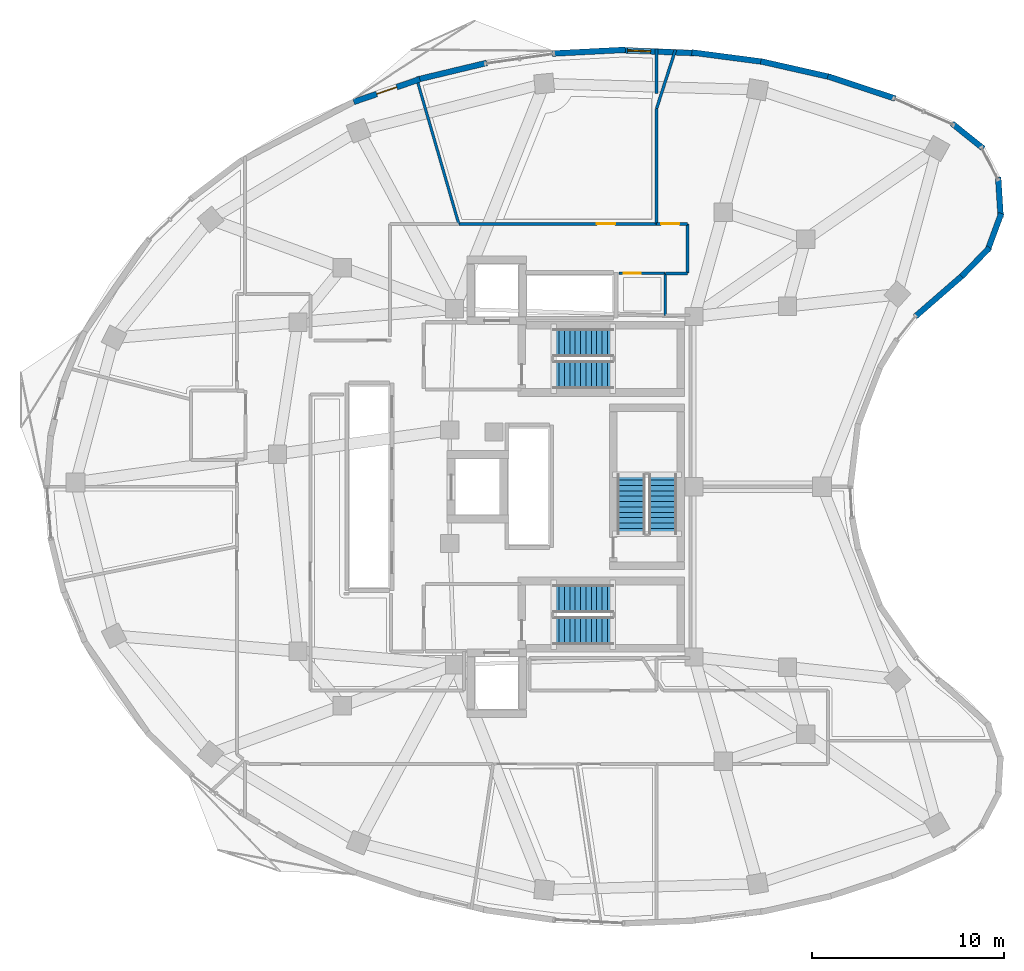
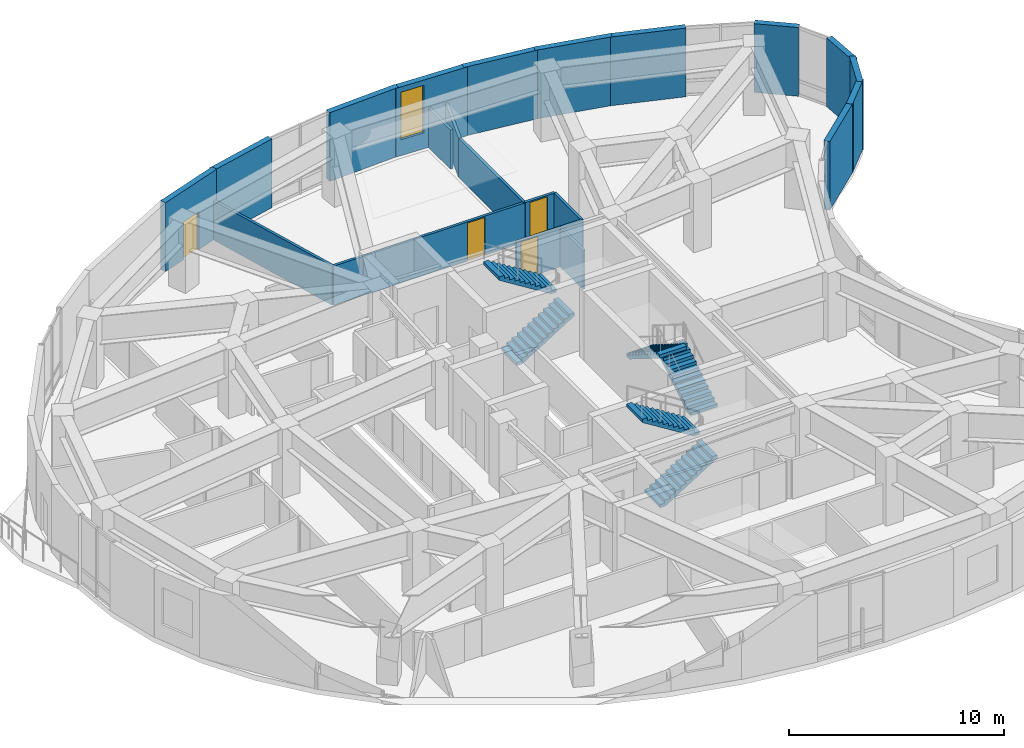
# One storey, part 11 of 14: 22 walls, 6 stair flights, 4 doors, 1 window, 5 openings, 3 elements without a shape of their own.
"""IFC4 building model written with IfcOpenShell, lengths in metres."""

from ifc_helpers import new_model, si_unit, direction, frame, frame_2d, origin, place, context, subcontext, project, spatial, polyline, rectangle, outline, extrude, material, layer, layer_set, type_object, element, fill, aggregate, save


model = new_model("IFC4")

# Units and contexts
model_context = context("Model", 3, precision=1e-05, world=origin(), true_north=direction((0.0, 1.0)))
body_context = subcontext(model_context, "Body", "Model", "MODEL_VIEW")
ifc_project = project(units=[si_unit("LENGTHUNIT", "METRE"), si_unit("AREAUNIT", "SQUARE_METRE"), si_unit("VOLUMEUNIT", "CUBIC_METRE"), si_unit("PLANEANGLEUNIT", "RADIAN"), si_unit("MASSUNIT", "GRAM", prefix="KILO")], contexts=[model_context])

# Site, building, storey
site_placement = place(None, origin())
site = spatial("IfcSite", under=ifc_project, at=site_placement, CompositionType="ELEMENT")
building_placement = place(site_placement, origin())
building = spatial("IfcBuilding", under=site, at=building_placement, Name="Korentha Bioscience Tower", CompositionType="ELEMENT")
storey_placement = place(building_placement, frame((0.0, 0.0, 239.39990234375)))
storey = spatial("IfcBuildingStorey", under=building, at=storey_placement, Name="L55", CompositionType="ELEMENT", Elevation=239.39990234375)

# Wall, opening, door
ifc_material_1 = material(Name="Double-Stud Acoustic Gypsum", Category="gypsum")
ifc_layer_1 = layer(ifc_material_1, 0.14990234375, Name="Double-Stud Acoustic Gypsum")
ifc_layer_set_1 = layer_set([ifc_layer_1], Name="Double-Stud Acoustic Gypsum (IW-L150)")
wall_type_1 = type_object("IfcWallType", Name="Acoustic Laboratory Partition Wall 150", PredefinedType="PARTITIONING", material=ifc_layer_set_1)
wall_1_placement = place(storey_placement, frame((37.199951171875, 40.659912109375, 0.0), z_axis=(0.0, 0.0, 1.0), x_axis=(-1.0, 0.0, 0.0)))
wall_1 = element("IfcWall", 1, at=wall_1_placement, inside=storey, type_object=wall_type_1, Name="L55 Neurobiology Electrophysiology Lab 10 Entrance Wall", PredefinedType="PARTITIONING", context=body_context, shape_type="SweptSolid", body=[
    extrude(rectangle(XDim=1.597900390625, YDim=0.14990234375, at=frame_2d((0.798828125, 0.0))), origin(), (0.0, 0.0, 1.0), 2.22021484375),
])
opening_1_placement = place(wall_1_placement, frame((0.407958984375, 0.0, 0.0)))
opening_1 = element("IfcOpeningElement", 2, at=opening_1_placement, cuts=wall_1, Name="Opening ID-10L", PredefinedType="OPENING", context=body_context, shape_type="SweptSolid", body=[
    extrude(rectangle(XDim=0.949951171875, YDim=2.14990234375, at=frame_2d((0.47509765625, 1.074951171875))), frame((0.0, 0.08984375, 0.0), z_axis=(0.0, -1.0, 0.0), x_axis=(1.0, 0.0, 0.0)), (0.0, 0.0, 1.0), 0.1796875),
])
ifc_material_2 = material(Name="Phenolic Laminate Timber Core", Category="wood")
door_type_1 = type_object("IfcDoorType", Name="Laboratory Single Leaf Door 950x2150 Left", OperationType="SINGLE_SWING_LEFT", PredefinedType="DOOR", material=ifc_material_2)
door_1_placement = place(opening_1_placement, origin())
door_1 = element("IfcDoor", 3, at=door_1_placement, inside=storey, type_object=door_type_1, Name="L55 Neurobiology Electrophysiology Lab 10 Door", OperationType="SINGLE_SWING_LEFT", OverallHeight=2.14990234375, OverallWidth=0.949951171875, PredefinedType="DOOR", context=body_context, shape_type="SweptSolid", body=[
    extrude(rectangle(XDim=0.949951171875, YDim=2.14990234375, at=frame_2d((0.47509765625, 1.074951171875))), frame((0.0, 0.02490234375, 0.0), z_axis=(0.0, -1.0, 0.0), x_axis=(1.0, 0.0, 0.0)), (0.0, 0.0, 1.0), 0.050048828125),
])
fill(opening_1, door_1)

# Walls
wall_2_placement = place(storey_placement, frame((35.60205078125, 46.65673828125, 0.0), z_axis=(0.0, 0.0, 1.0), x_axis=(0.306063425715, 0.95201112359, 0.0)))
element("IfcWall", 4, at=wall_2_placement, inside=storey, type_object=wall_type_1, Name="L55 Interior Partition 051", PredefinedType="PARTITIONING", context=body_context, shape_type="SweptSolid", body=[
    extrude(rectangle(XDim=3.205078125, YDim=0.14990234375, at=frame_2d((1.6025390625, 0.0))), origin(), (0.0, 0.0, 1.0), 2.22021484375),
])
wall_3_placement = place(storey_placement, frame((36.06005859375, 38.090087890625, 0.0), z_axis=(0.0, 0.0, 1.0), x_axis=(1.0, 0.0, 0.0)))
element("IfcWall", 5, at=wall_3_placement, inside=storey, type_object=wall_type_1, Name="L55 Interior Partition 054", PredefinedType="PARTITIONING", context=body_context, shape_type="SweptSolid", body=[
    extrude(rectangle(XDim=1.139892578125, YDim=0.14990234375, at=frame_2d((0.56982421875, 0.0))), origin(), (0.0, 0.0, 1.0), 2.22021484375),
])
wall_4_placement = place(storey_placement, frame((37.2099609375, 38.10009765625, 0.0), z_axis=(0.0, 0.0, 1.0), x_axis=(0.0, 1.0, 0.0)))
element("IfcWall", 6, at=wall_4_placement, inside=storey, type_object=wall_type_1, Name="L55 Interior Partition 055", PredefinedType="PARTITIONING", context=body_context, shape_type="SweptSolid", body=[
    extrude(rectangle(XDim=2.5498046875, YDim=0.14990234375, at=frame_2d((1.27490234375, 0.0))), origin(), (0.0, 0.0, 1.0), 2.22021484375),
])
wall_5_placement = place(storey_placement, frame((35.60205078125, 40.659912109375, 0.0), z_axis=(0.0, 0.0, 1.0), x_axis=(0.0, 1.0, 0.0)))
element("IfcWall", 7, at=wall_5_placement, inside=storey, type_object=wall_type_1, Name="L55 Interior Partition 056", PredefinedType="PARTITIONING", context=body_context, shape_type="SweptSolid", body=[
    extrude(rectangle(XDim=5.99658203125, YDim=0.14990234375, at=frame_2d((2.998291015625, 0.0))), origin(), (0.0, 0.0, 1.0), 2.22021484375),
])

# Wall, opening, door
ifc_material_3 = material(Name="Insulated Aluminium Honeycomb Panel", Category="aluminium")
ifc_layer_2 = layer(ifc_material_3, 0.139892578125, Name="Insulated Aluminium Honeycomb Panel")
ifc_layer_set_2 = layer_set([ifc_layer_2], Name="Insulated Aluminium Honeycomb Panel (IW-F60)")
wall_type_2 = type_object("IfcWallType", Name="Cleanroom Flush Metal Panel Partition 140", PredefinedType="PARTITIONING", material=ifc_layer_set_2)
wall_6_placement = place(storey_placement, frame((35.592041015625, 40.659912109375, 0.0), z_axis=(0.0, 0.0, 1.0), x_axis=(-1.0, 0.0, 0.0)))
wall_6 = element("IfcWall", 8, at=wall_6_placement, inside=storey, type_object=wall_type_2, Name="L55 Stem-Cell Differentiation Cleanroom 11 Entrance Wall", PredefinedType="PARTITIONING", context=body_context, shape_type="SweptSolid", body=[
    extrude(rectangle(XDim=10.2705078125, YDim=0.139892578125, at=frame_2d((5.13525390625, 0.0))), origin(), (0.0, 0.0, 1.0), 2.22021484375),
])
opening_2_placement = place(wall_6_placement, frame((2.1455078125, 0.0, 0.0)))
opening_2 = element("IfcOpeningElement", 9, at=opening_2_placement, cuts=wall_6, Name="Opening ID-10R", PredefinedType="OPENING", context=body_context, shape_type="SweptSolid", body=[
    extrude(rectangle(XDim=0.949951171875, YDim=2.14990234375, at=frame_2d((0.47509765625, 1.074951171875))), frame((0.0, 0.0849609375, 0.0), z_axis=(0.0, -1.0, 0.0), x_axis=(1.0, 0.0, 0.0)), (0.0, 0.0, 1.0), 0.169677734375),
])
door_type_2 = type_object("IfcDoorType", Name="Laboratory Single Leaf Door 950x2150 Right", OperationType="SINGLE_SWING_RIGHT", PredefinedType="DOOR", material=ifc_material_2)
door_2_placement = place(opening_2_placement, origin())
door_2 = element("IfcDoor", 10, at=door_2_placement, inside=storey, type_object=door_type_2, Name="L55 Stem-Cell Differentiation Cleanroom 11 Door", OperationType="SINGLE_SWING_RIGHT", OverallHeight=2.14990234375, OverallWidth=0.949951171875, PredefinedType="DOOR", context=body_context, shape_type="SweptSolid", body=[
    extrude(rectangle(XDim=0.949951171875, YDim=2.14990234375, at=frame_2d((0.47509765625, 1.074951171875))), frame((0.0, 0.02490234375, 0.0), z_axis=(0.0, -1.0, 0.0), x_axis=(1.0, 0.0, 0.0)), (0.0, 0.0, 1.0), 0.050048828125),
])
fill(opening_2, door_2)

# Walls
wall_7_placement = place(storey_placement, frame((35.597900390625, 49.756591796875, 0.0), z_axis=(0.0, 0.0, 1.0), x_axis=(0.0, -1.0, 0.0)))
element("IfcWall", 11, at=wall_7_placement, inside=storey, type_object=wall_type_2, Name="L55 Interior Partition 057", PredefinedType="PARTITIONING", context=body_context, shape_type="SweptSolid", body=[
    extrude(rectangle(XDim=2.328125, YDim=0.139892578125, at=frame_2d((1.1640625, 0.0))), origin(), (0.0, 0.0, 1.0), 2.22021484375),
])
wall_8_placement = place(storey_placement, frame((25.321533203125, 40.659912109375, 0.0), z_axis=(0.0, 0.0, 1.0), x_axis=(-0.278465296123, 0.960446291499, 0.0)))
element("IfcWall", 12, at=wall_8_placement, inside=storey, type_object=wall_type_2, Name="L55 Interior Partition 058", PredefinedType="PARTITIONING", context=body_context, shape_type="SweptSolid", body=[
    extrude(rectangle(XDim=7.918701171875, YDim=0.139892578125, at=frame_2d((3.95947265625, 0.0))), origin(), (0.0, 0.0, 1.0), 2.22021484375),
])

# Wall, opening, window
ifc_material_4 = material(Name="Honed Limestone Precast Concrete C40", Category="masonry")
ifc_layer_3 = layer(ifc_material_4, 0.300048828125, Name="Honed Limestone Precast Concrete C40")
ifc_layer_set_3 = layer_set([ifc_layer_3], Name="Honed Limestone Precast Concrete C40 (EW-ST300)")
wall_type_3 = type_object("IfcWallType", Name="Honed Limestone Cavity Spandrel Wall 300", PredefinedType="STANDARD", material=ifc_layer_set_3)
wall_9_placement = place(storey_placement, frame((37.58837890625, 49.5380859375, 0.0), z_axis=(0.0, 0.0, 1.0), x_axis=(-0.999223368644, 0.03940380128, 0.0)))
wall_9 = element("IfcWall", 13, at=wall_9_placement, inside=storey, type_object=wall_type_3, Name="L55 Honed Limestone Spandrel Wall 05", PredefinedType="STANDARD", context=body_context, shape_type="SweptSolid", body=[
    extrude(rectangle(XDim=3.76708984375, YDim=0.300048828125, at=frame_2d((1.883544921875, 0.0))), origin(), (0.0, 0.0, 1.0), 3.900146484375),
])
opening_3_placement = place(wall_9_placement, frame((2.294189453125, 0.0, 0.89990234375)))
opening_3 = element("IfcOpeningElement", 14, at=opening_3_placement, cuts=wall_9, Name="Opening WN-03", PredefinedType="OPENING", context=body_context, shape_type="SweptSolid", body=[
    extrude(rectangle(XDim=1.199951171875, YDim=2.699951171875, at=frame_2d((0.60009765625, 1.35009765625))), frame((0.0, 0.1650390625, 0.0), z_axis=(0.0, -1.0, 0.0), x_axis=(1.0, 0.0, 0.0)), (0.0, 0.0, 1.0), 0.329833984375),
])
ifc_material_5 = material(Name="Thermally Broken Aluminium Triple Glazing", Category="aluminium")
window_type = type_object("IfcWindowType", Name="Theatre Foyer Tall Ribbon Window 1200x2700", PartitioningType="SINGLE_PANEL", PredefinedType="WINDOW", material=ifc_material_5)
window_placement = place(opening_3_placement, origin())
window = element("IfcWindow", 15, at=window_placement, inside=storey, type_object=window_type, Name="L55 Facade Window 05", OverallHeight=2.699951171875, OverallWidth=1.199951171875, PartitioningType="SINGLE_PANEL", PredefinedType="WINDOW", context=body_context, shape_type="SweptSolid", body=[
    extrude(rectangle(XDim=1.199951171875, YDim=2.699951171875, at=frame_2d((0.60009765625, 1.35009765625))), frame((0.0, 0.030029296875, 0.0), z_axis=(0.0, -1.0, 0.0), x_axis=(1.0, 0.0, 0.0)), (0.0, 0.0, 1.0), 0.06005859375),
])
fill(opening_3, window)

# Wall, opening, door
wall_10_placement = place(storey_placement, frame((23.29638671875, 48.1796875, 0.0), z_axis=(0.0, 0.0, 1.0), x_axis=(-0.945702753898, -0.325032769531, 0.0)))
wall_10 = element("IfcWall", 16, at=wall_10_placement, inside=storey, type_object=wall_type_3, Name="L55 Balcony Threshold Wall 01", PredefinedType="STANDARD", context=body_context, shape_type="SweptSolid", body=[
    extrude(rectangle(XDim=3.62939453125, YDim=0.300048828125, at=frame_2d((1.814697265625, 0.0))), origin(), (0.0, 0.0, 1.0), 3.900146484375),
])
opening_4_placement = place(wall_10_placement, frame((1.264892578125, 0.0, 0.0)))
opening_4 = element("IfcOpeningElement", 17, at=opening_4_placement, cuts=wall_10, Name="Opening BD-11L", PredefinedType="OPENING", context=body_context, shape_type="SweptSolid", body=[
    extrude(rectangle(XDim=1.10009765625, YDim=2.14990234375, at=frame_2d((0.550048828125, 1.074951171875))), frame((0.0, 0.1650390625, 0.0), z_axis=(0.0, -1.0, 0.0), x_axis=(1.0, 0.0, 0.0)), (0.0, 0.0, 1.0), 0.329833984375),
])
ifc_material_6 = material(Name="Thermally Broken Glazed Aluminium", Category="aluminium")
door_type_3 = type_object("IfcDoorType", Name="Balcony Terrace Glazed Door 1100x2150 Left", OperationType="SINGLE_SWING_LEFT", PredefinedType="DOOR", material=ifc_material_6)
door_3_placement = place(opening_4_placement, origin())
door_3 = element("IfcDoor", 18, at=door_3_placement, inside=storey, type_object=door_type_3, Name="L55 Balcony Access Door 01", OperationType="SINGLE_SWING_LEFT", OverallHeight=2.14990234375, OverallWidth=1.10009765625, PredefinedType="DOOR", context=body_context, shape_type="SweptSolid", body=[
    extrude(rectangle(XDim=1.10009765625, YDim=2.14990234375, at=frame_2d((0.550048828125, 1.074951171875))), frame((0.0, 0.02490234375, 0.0), z_axis=(0.0, -1.0, 0.0), x_axis=(1.0, 0.0, 0.0)), (0.0, 0.0, 1.0), 0.050048828125),
])
fill(opening_4, door_3)

# Walls
wall_11_placement = place(storey_placement, frame((47.997802734375, 47.1767578125, 0.0), z_axis=(0.0, 0.0, 1.0), x_axis=(-0.94972655205, 0.313080622734, 0.0)))
element("IfcWall", 19, at=wall_11_placement, inside=storey, type_object=wall_type_3, Name="L55 Limestone Perimeter Closure Wall 02", PredefinedType="STANDARD", context=body_context, shape_type="SweptSolid", body=[
    extrude(rectangle(XDim=3.67919921875, YDim=0.300048828125, at=frame_2d((1.839599609375, 0.0))), origin(), (0.0, 0.0, 1.0), 3.900146484375),
])
wall_12_placement = place(storey_placement, frame((44.67041015625, 48.282470703125, 0.0), z_axis=(0.0, 0.0, 1.0), x_axis=(-0.975241674184, 0.221141757557, 0.0)))
element("IfcWall", 20, at=wall_12_placement, inside=storey, type_object=wall_type_3, Name="L55 Limestone Perimeter Closure Wall 03", PredefinedType="STANDARD", context=body_context, shape_type="SweptSolid", body=[
    extrude(rectangle(XDim=3.74267578125, YDim=0.300048828125, at=frame_2d((1.871337890625, 0.0))), origin(), (0.0, 0.0, 1.0), 3.900146484375),
])
wall_13_placement = place(storey_placement, frame((41.190673828125, 49.079833984375, 0.0), z_axis=(0.0, 0.0, 1.0), x_axis=(-0.991512801574, 0.130009093201, 0.0)))
element("IfcWall", 21, at=wall_13_placement, inside=storey, type_object=wall_type_3, Name="L55 Limestone Perimeter Closure Wall 04", PredefinedType="STANDARD", context=body_context, shape_type="SweptSolid", body=[
    extrude(rectangle(XDim=3.785888671875, YDim=0.300048828125, at=frame_2d((1.89306640625, 0.0))), origin(), (0.0, 0.0, 1.0), 3.900146484375),
])
wall_14_placement = place(storey_placement, frame((33.977294921875, 49.70849609375, 0.0), z_axis=(0.0, 0.0, 1.0), x_axis=(-0.998691783215, -0.051134353798, 0.0)))
element("IfcWall", 22, at=wall_14_placement, inside=storey, type_object=wall_type_3, Name="L55 Limestone Perimeter Closure Wall 06", PredefinedType="STANDARD", context=body_context, shape_type="SweptSolid", body=[
    extrude(rectangle(XDim=3.80517578125, YDim=0.300048828125, at=frame_2d((1.902587890625, 0.0))), origin(), (0.0, 0.0, 1.0), 3.900146484375),
])
wall_15_placement = place(storey_placement, frame((26.775146484375, 49.027099609375, 0.0), z_axis=(0.0, 0.0, 1.0), x_axis=(-0.972475629939, -0.233004611918, 0.0)))
element("IfcWall", 23, at=wall_15_placement, inside=storey, type_object=wall_type_3, Name="L55 Limestone Perimeter Closure Wall 08", PredefinedType="STANDARD", context=body_context, shape_type="SweptSolid", body=[
    extrude(rectangle(XDim=3.7353515625, YDim=0.300048828125, at=frame_2d((1.86767578125, 0.0))), origin(), (0.0, 0.0, 1.0), 3.900146484375),
])
wall_16_placement = place(storey_placement, frame((49.039794921875, 35.840087890625, 0.0), z_axis=(0.0, 0.0, 1.0), x_axis=(0.754679026761, 0.656094175075, 0.0)))
element("IfcWall", 24, at=wall_16_placement, inside=storey, type_object=wall_type_3, Name="L55 Limestone Perimeter Closure Wall 56", PredefinedType="STANDARD", context=body_context, shape_type="SweptSolid", body=[
    extrude(rectangle(XDim=3.360595703125, YDim=0.300048828125, at=frame_2d((1.68017578125, 0.0))), origin(), (0.0, 0.0, 1.0), 3.900146484375),
])
for number, where, z_axis, x_axis, name in (
    (25, (51.451416015625, 37.9267578125, 0.0), (0.0, 0.0, 1.0), (0.695810272174, 0.718225636647, 0.0), "L55 Limestone Perimeter Closure Wall 58"),
    (26, (52.79248046875, 39.247314453125, 0.0), (0.0, 0.0, 1.0), (0.346359858312, 0.93810172612, 0.0), "L55 Limestone Perimeter Closure Wall 59"),
    (27, (53.485595703125, 40.997314453125, 0.0), (0.0, 0.0, 1.0), (-0.06186954965, 0.998084244353, 0.0), "L55 Limestone Perimeter Closure Wall 60"),
):
    element("IfcWall", number, at=place(storey_placement, frame(where, z_axis=z_axis, x_axis=x_axis)), inside=storey, type_object=wall_type_3, Name=name, PredefinedType="STANDARD", context=body_context, shape_type="SweptSolid", body=[
        extrude(rectangle(XDim=2.09130859375, YDim=0.300048828125, at=frame_2d((1.045654296875, 0.0))), origin(), (0.0, 0.0, 1.0), 3.900146484375),
    ])
wall_17_placement = place(storey_placement, frame((52.587646484375, 44.5693359375, 0.0), z_axis=(0.0, 0.0, 1.0), x_axis=(-0.779157679167, 0.6268279756, 0.0)))
element("IfcWall", 28, at=wall_17_placement, inside=storey, type_object=wall_type_3, Name="L55 Limestone Perimeter Closure Wall 62", PredefinedType="STANDARD", context=body_context, shape_type="SweptSolid", body=[
    extrude(rectangle(XDim=2.091552734375, YDim=0.300048828125, at=frame_2d((1.0458984375, 0.0))), origin(), (0.0, 0.0, 1.0), 3.900146484375),
])

# Wall, opening, door
ifc_material_7 = material(Name="Cement-Board Steel Stud", Category="steel")
ifc_layer_4 = layer(ifc_material_7, 0.1298828125, Name="Cement-Board Steel Stud")
ifc_layer_set_4 = layer_set([ifc_layer_4], Name="Cement-Board Steel Stud (IW-W130)")
wall_type_4 = type_object("IfcWallType", Name="Wet-Area Moisture-Resistant Partition 130", PredefinedType="PARTITIONING", material=ifc_layer_set_4)
wall_18_placement = place(storey_placement, frame((33.64990234375, 38.090087890625, 0.0), z_axis=(0.0, 0.0, 1.0), x_axis=(1.0, 0.0, 0.0)))
wall_18 = element("IfcWall", 29, at=wall_18_placement, inside=storey, type_object=wall_type_4, Name="L55 Accessible Staff WC Entrance Wall", PredefinedType="PARTITIONING", context=body_context, shape_type="SweptSolid", body=[
    extrude(rectangle(XDim=2.400146484375, YDim=0.1298828125, at=frame_2d((1.2001953125, 0.0))), origin(), (0.0, 0.0, 1.0), 2.22021484375),
])
opening_5_placement = place(wall_18_placement, frame((0.239990234375, 0.0, 0.0)))
opening_5 = element("IfcOpeningElement", 30, at=opening_5_placement, cuts=wall_18, Name="Opening ID-09R", PredefinedType="OPENING", context=body_context, shape_type="SweptSolid", body=[
    extrude(rectangle(XDim=0.89990234375, YDim=2.14990234375, at=frame_2d((0.449951171875, 1.074951171875))), frame((0.0, 0.079833984375, 0.0), z_axis=(0.0, -1.0, 0.0), x_axis=(1.0, 0.0, 0.0)), (0.0, 0.0, 1.0), 0.15966796875),
])
ifc_material_8 = material(Name="Moisture-Resistant HPL Leaf", Category="wood")
door_type_4 = type_object("IfcDoorType", Name="Restroom & Accessible WC Door 900x2150 Right", OperationType="SINGLE_SWING_RIGHT", PredefinedType="DOOR", material=ifc_material_8)
door_4_placement = place(opening_5_placement, origin())
door_4 = element("IfcDoor", 31, at=door_4_placement, inside=storey, type_object=door_type_4, Name="L55 Accessible Staff WC Door", OperationType="SINGLE_SWING_RIGHT", OverallHeight=2.14990234375, OverallWidth=0.89990234375, PredefinedType="DOOR", context=body_context, shape_type="SweptSolid", body=[
    extrude(rectangle(XDim=0.89990234375, YDim=2.14990234375, at=frame_2d((0.449951171875, 1.074951171875))), frame((0.0, 0.02490234375, 0.0), z_axis=(0.0, -1.0, 0.0), x_axis=(1.0, 0.0, 0.0)), (0.0, 0.0, 1.0), 0.050048828125),
])
fill(opening_5, door_4)

# Wall
wall_19_placement = place(storey_placement, frame((36.050048828125, 38.090087890625, 0.0), z_axis=(0.0, 0.0, 1.0), x_axis=(0.0, -1.0, 0.0)))
element("IfcWall", 32, at=wall_19_placement, inside=storey, type_object=wall_type_4, Name="L55 Interior Partition 018", PredefinedType="PARTITIONING", context=body_context, shape_type="SweptSolid", body=[
    extrude(rectangle(XDim=2.18017578125, YDim=0.1298828125, at=frame_2d((1.090087890625, 0.0))), origin(), (0.0, 0.0, 1.0), 2.22021484375),
])

# Stair, stair flights
ifc_material_9 = material(Name="Precast Concrete C50", Category="concrete")
stair_type = type_object("IfcStairType", Name="Core Exit Dog-Leg Stair 1450", PredefinedType="HALF_TURN_STAIR", material=ifc_material_9)
stair_1_placement = place(storey_placement, origin())
stair_1 = element("IfcStair", 33, at=stair_1_placement, inside=storey, type_object=stair_type, Name="L55 Tower North Pressurized Exit Stair ST-1", PredefinedType="HALF_TURN_STAIR")
stair_flight_type = type_object("IfcStairFlightType", Name="Core Exit Dog-Leg Stair 1450 Flight", PredefinedType="STRAIGHT", material=ifc_material_9)
stair_flight_1_placement = place(storey_placement, frame((30.25, 32.824951171875, 0.0), z_axis=(0.0, 0.0, 1.0), x_axis=(1.0, 0.0, 0.0)))
stair_flight_1 = element("IfcStairFlight", 34, at=stair_flight_1_placement, type_object=stair_flight_type, Name="ST-1 flight 1", NumberOfRisers=12, NumberOfTreads=11, PredefinedType="STRAIGHT", RiserHeight=0.175, TreadLength=0.28, context=body_context, shape_type="SweptSolid", body=[
    extrude(outline(polyline([(0.0, 0.0), (0.0, 0.175048828125), (0.280029296875, 0.175048828125), (0.280029296875, 0.35009765625), (0.56005859375, 0.35009765625), (0.56005859375, 0.52490234375), (0.840087890625, 0.52490234375), (0.840087890625, 0.699951171875), (1.1201171875, 0.699951171875), (1.1201171875, 0.875), (1.39990234375, 0.875), (1.39990234375, 1.050048828125), (1.679931640625, 1.050048828125), (1.679931640625, 1.22509765625), (1.9599609375, 1.22509765625), (1.9599609375, 1.39990234375), (2.239990234375, 1.39990234375), (2.239990234375, 1.574951171875), (2.52001953125, 1.574951171875), (2.52001953125, 1.75), (2.800048828125, 1.75), (2.800048828125, 1.925048828125), (3.080078125, 1.925048828125), (3.080078125, 2.10009765625), (3.080078125, 1.736328125), (0.3017578125, 0.0), (0.0, 0.0)])), frame((0.0, 0.72509765625, 0.0), z_axis=(0.0, -1.0, 0.0), x_axis=(1.0, 0.0, 0.0)), (0.0, 0.0, 1.0), 1.449951171875),
])
stair_flight_2_placement = place(storey_placement, frame((33.330078125, 34.47509765625, 2.10009765625), z_axis=(0.0, 0.0, 1.0), x_axis=(-1.0, 0.0, 0.0)))
stair_flight_2 = element("IfcStairFlight", 35, at=stair_flight_2_placement, type_object=stair_flight_type, Name="ST-1 flight 2", NumberOfRisers=12, NumberOfTreads=11, PredefinedType="STRAIGHT", RiserHeight=0.175, TreadLength=0.28, context=body_context, shape_type="SweptSolid", body=[
    extrude(outline(polyline([(0.0, 0.0), (0.0, 0.175048828125), (0.280029296875, 0.175048828125), (0.280029296875, 0.35009765625), (0.56005859375, 0.35009765625), (0.56005859375, 0.52490234375), (0.840087890625, 0.52490234375), (0.840087890625, 0.699951171875), (1.1201171875, 0.699951171875), (1.1201171875, 0.875), (1.39990234375, 0.875), (1.39990234375, 1.050048828125), (1.679931640625, 1.050048828125), (1.679931640625, 1.22509765625), (1.9599609375, 1.22509765625), (1.9599609375, 1.39990234375), (2.239990234375, 1.39990234375), (2.239990234375, 1.574951171875), (2.52001953125, 1.574951171875), (2.52001953125, 1.75), (2.800048828125, 1.75), (2.800048828125, 1.925048828125), (3.080078125, 1.925048828125), (3.080078125, 2.10009765625), (3.080078125, 1.736328125), (0.3017578125, 0.0), (0.0, 0.0)])), frame((0.0, 0.72509765625, 0.0), z_axis=(0.0, -1.0, 0.0), x_axis=(1.0, 0.0, 0.0)), (0.0, 0.0, 1.0), 1.449951171875),
])
aggregate(stair_1, [stair_flight_1, stair_flight_2])

stair_2_placement = place(storey_placement, origin())
stair_2 = element("IfcStair", 36, at=stair_2_placement, inside=storey, type_object=stair_type, Name="L55 Tower South Pressurized Exit Stair ST-2", PredefinedType="HALF_TURN_STAIR")
stair_flight_3_placement = place(storey_placement, frame((30.25, 19.52490234375, 0.0), z_axis=(0.0, 0.0, 1.0), x_axis=(1.0, 0.0, 0.0)))
stair_flight_3 = element("IfcStairFlight", 37, at=stair_flight_3_placement, type_object=stair_flight_type, Name="ST-2 flight 1", NumberOfRisers=12, NumberOfTreads=11, PredefinedType="STRAIGHT", RiserHeight=0.175, TreadLength=0.28, context=body_context, shape_type="SweptSolid", body=[
    extrude(outline(polyline([(0.0, 0.0), (0.0, 0.175048828125), (0.280029296875, 0.175048828125), (0.280029296875, 0.35009765625), (0.56005859375, 0.35009765625), (0.56005859375, 0.52490234375), (0.840087890625, 0.52490234375), (0.840087890625, 0.699951171875), (1.1201171875, 0.699951171875), (1.1201171875, 0.875), (1.39990234375, 0.875), (1.39990234375, 1.050048828125), (1.679931640625, 1.050048828125), (1.679931640625, 1.22509765625), (1.9599609375, 1.22509765625), (1.9599609375, 1.39990234375), (2.239990234375, 1.39990234375), (2.239990234375, 1.574951171875), (2.52001953125, 1.574951171875), (2.52001953125, 1.75), (2.800048828125, 1.75), (2.800048828125, 1.925048828125), (3.080078125, 1.925048828125), (3.080078125, 2.10009765625), (3.080078125, 1.736328125), (0.3017578125, 0.0), (0.0, 0.0)])), frame((0.0, 0.72509765625, 0.0), z_axis=(0.0, -1.0, 0.0), x_axis=(1.0, 0.0, 0.0)), (0.0, 0.0, 1.0), 1.449951171875),
])
stair_flight_4_placement = place(storey_placement, frame((33.330078125, 21.175048828125, 2.10009765625), z_axis=(0.0, 0.0, 1.0), x_axis=(-1.0, 0.0, 0.0)))
stair_flight_4 = element("IfcStairFlight", 38, at=stair_flight_4_placement, type_object=stair_flight_type, Name="ST-2 flight 2", NumberOfRisers=12, NumberOfTreads=11, PredefinedType="STRAIGHT", RiserHeight=0.175, TreadLength=0.28, context=body_context, shape_type="SweptSolid", body=[
    extrude(outline(polyline([(0.0, 0.0), (0.0, 0.175048828125), (0.280029296875, 0.175048828125), (0.280029296875, 0.35009765625), (0.56005859375, 0.35009765625), (0.56005859375, 0.52490234375), (0.840087890625, 0.52490234375), (0.840087890625, 0.699951171875), (1.1201171875, 0.699951171875), (1.1201171875, 0.875), (1.39990234375, 0.875), (1.39990234375, 1.050048828125), (1.679931640625, 1.050048828125), (1.679931640625, 1.22509765625), (1.9599609375, 1.22509765625), (1.9599609375, 1.39990234375), (2.239990234375, 1.39990234375), (2.239990234375, 1.574951171875), (2.52001953125, 1.574951171875), (2.52001953125, 1.75), (2.800048828125, 1.75), (2.800048828125, 1.925048828125), (3.080078125, 1.925048828125), (3.080078125, 2.10009765625), (3.080078125, 1.736328125), (0.3017578125, 0.0), (0.0, 0.0)])), frame((0.0, 0.72509765625, 0.0), z_axis=(0.0, -1.0, 0.0), x_axis=(1.0, 0.0, 0.0)), (0.0, 0.0, 1.0), 1.449951171875),
])
aggregate(stair_2, [stair_flight_3, stair_flight_4])

stair_3_placement = place(storey_placement, origin())
stair_3 = element("IfcStair", 39, at=stair_3_placement, inside=storey, type_object=stair_type, Name="L55 Tower Central Pressurized Exit Stair ST-3", PredefinedType="HALF_TURN_STAIR")
stair_flight_5_placement = place(storey_placement, frame((35.925048828125, 24.550048828125, 0.0), z_axis=(0.0, 0.0, 1.0), x_axis=(0.0, 1.0, 0.0)))
stair_flight_5 = element("IfcStairFlight", 40, at=stair_flight_5_placement, type_object=stair_flight_type, Name="ST-3 flight 1", NumberOfRisers=12, NumberOfTreads=11, PredefinedType="STRAIGHT", RiserHeight=0.175, TreadLength=0.28, context=body_context, shape_type="SweptSolid", body=[
    extrude(outline(polyline([(0.0, 0.0), (0.0, 0.175048828125), (0.280029296875, 0.175048828125), (0.280029296875, 0.35009765625), (0.56005859375, 0.35009765625), (0.56005859375, 0.52490234375), (0.840087890625, 0.52490234375), (0.840087890625, 0.699951171875), (1.1201171875, 0.699951171875), (1.1201171875, 0.875), (1.39990234375, 0.875), (1.39990234375, 1.050048828125), (1.679931640625, 1.050048828125), (1.679931640625, 1.22509765625), (1.9599609375, 1.22509765625), (1.9599609375, 1.39990234375), (2.239990234375, 1.39990234375), (2.239990234375, 1.574951171875), (2.52001953125, 1.574951171875), (2.52001953125, 1.75), (2.800048828125, 1.75), (2.800048828125, 1.925048828125), (3.080078125, 1.925048828125), (3.080078125, 2.10009765625), (3.080078125, 1.736328125), (0.3017578125, 0.0), (0.0, 0.0)])), frame((0.0, 0.72509765625, 0.0), z_axis=(0.0, -1.0, 0.0), x_axis=(1.0, 0.0, 0.0)), (0.0, 0.0, 1.0), 1.449951171875),
])
stair_flight_6_placement = place(storey_placement, frame((34.27490234375, 27.6298828125, 2.10009765625), z_axis=(0.0, 0.0, 1.0), x_axis=(0.0, -1.0, 0.0)))
stair_flight_6 = element("IfcStairFlight", 41, at=stair_flight_6_placement, type_object=stair_flight_type, Name="ST-3 flight 2", NumberOfRisers=12, NumberOfTreads=11, PredefinedType="STRAIGHT", RiserHeight=0.175, TreadLength=0.28, context=body_context, shape_type="SweptSolid", body=[
    extrude(outline(polyline([(0.0, 0.0), (0.0, 0.175048828125), (0.280029296875, 0.175048828125), (0.280029296875, 0.35009765625), (0.56005859375, 0.35009765625), (0.56005859375, 0.52490234375), (0.840087890625, 0.52490234375), (0.840087890625, 0.699951171875), (1.1201171875, 0.699951171875), (1.1201171875, 0.875), (1.39990234375, 0.875), (1.39990234375, 1.050048828125), (1.679931640625, 1.050048828125), (1.679931640625, 1.22509765625), (1.9599609375, 1.22509765625), (1.9599609375, 1.39990234375), (2.239990234375, 1.39990234375), (2.239990234375, 1.574951171875), (2.52001953125, 1.574951171875), (2.52001953125, 1.75), (2.800048828125, 1.75), (2.800048828125, 1.925048828125), (3.080078125, 1.925048828125), (3.080078125, 2.10009765625), (3.080078125, 1.736328125), (0.3017578125, 0.0), (0.0, 0.0)])), frame((0.0, 0.72509765625, 0.0), z_axis=(0.0, -1.0, 0.0), x_axis=(1.0, 0.0, 0.0)), (0.0, 0.0, 1.0), 1.449951171875),
])
aggregate(stair_3, [stair_flight_5, stair_flight_6])

save(model, "model.ifc")
